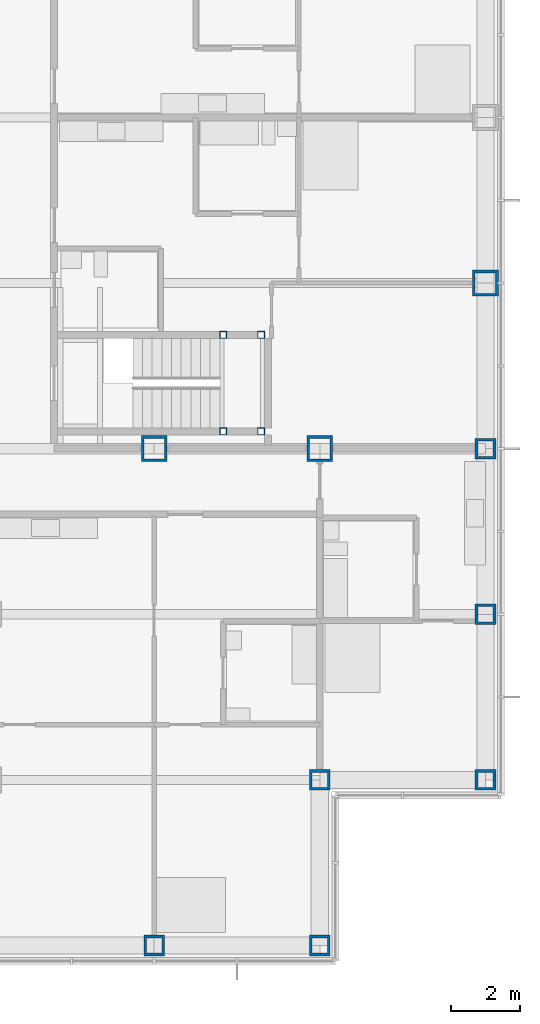
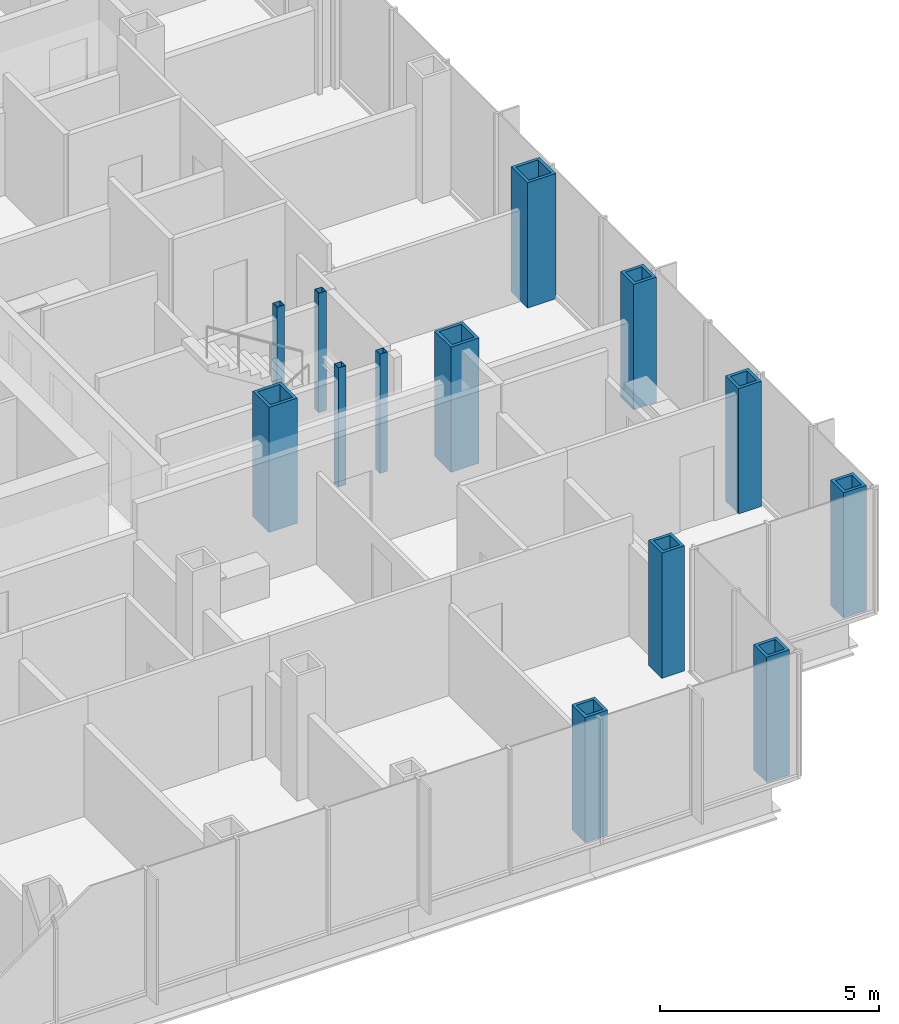
# One storey, part 4 of 21: 13 columns.
"""IFC4 building model written with IfcOpenShell, lengths in metres."""

import ifcopenshell
import ifcopenshell.guid

model = None  # the IFC model being written
_history = None  # IfcOwnerHistory: only IFC2X3 demands one
_inside = {}  # id of a spatial element -> (the spatial element, [elements in it])
_under = {}  # id of a project, library or spatial element -> (it, [spatial elements below it])
_declared = {}  # id of a project -> (the project, [libraries it declares])
_typed = {}  # id of a type object -> (the type object, [elements of that type])
_made_of = {}  # id of a material, layer set ... -> (it, [elements and type objects made of it])


def new_model(schema):
    """Start an empty IFC model of exactly this schema.

    Asked for "IFC4X3", IfcOpenShell would pick the latest addendum, in which some entities
    have other attributes; the version numbers below select the first issue.
    IFC2X3 requires an IfcOwnerHistory on every rooted entity: one is made here for all.
    """
    global model, _history
    if schema == "IFC4X3":
        model = ifcopenshell.file(schema_version=(4, 3, 0, 0))
    else:
        model = ifcopenshell.file(schema=schema)
    _inside.clear()
    _under.clear()
    _declared.clear()
    _typed.clear()
    _made_of.clear()
    _history = None
    if model.schema == "IFC2X3":
        org = make("IfcOrganization", Name="unknown")
        user = make(
            "IfcPersonAndOrganization",
            ThePerson=make("IfcPerson", FamilyName="unknown"),
            TheOrganization=org,
        )
        app = make(
            "IfcApplication",
            ApplicationDeveloper=org,
            Version="unknown",
            ApplicationFullName="unknown",
            ApplicationIdentifier="unknown",
        )
        _history = make(
            "IfcOwnerHistory",
            OwningUser=user,
            OwningApplication=app,
            ChangeAction="ADDED",
            CreationDate=0,
        )
    return model


def make(cls, **values):
    """One entity of the class cls with the attributes given. An attribute that is None is left unset."""
    return model.create_entity(
        cls, **{name: value for name, value in values.items() if value is not None}
    )


def rooted(cls, **values):
    """An entity with a GlobalId (a new one), such as an element, a storey or a relation."""
    return make(cls, GlobalId=ifcopenshell.guid.new(), OwnerHistory=_history, **values)


def si_unit(unit_type, name, prefix=None):
    """IfcSIUnit, for example si_unit("LENGTHUNIT", "METRE", prefix="MILLI")."""
    return make("IfcSIUnit", UnitType=unit_type, Prefix=prefix, Name=name)


def assignment(units):
    """IfcUnitAssignment: the units of a project."""
    return None if units is None else make("IfcUnitAssignment", Units=units)


def point(xyz):
    """IfcCartesianPoint."""
    return None if xyz is None else make("IfcCartesianPoint", Coordinates=xyz)


def direction(xyz):
    """IfcDirection."""
    return None if xyz is None else make("IfcDirection", DirectionRatios=xyz)


def frame(location, z_axis=None, x_axis=None):
    """IfcAxis2Placement3D, a coordinate frame: its origin and axes. An axis left out is left unset."""
    return make(
        "IfcAxis2Placement3D",
        Location=point(location),
        Axis=direction(z_axis),
        RefDirection=direction(x_axis),
    )


def frame_2d(location, x_axis=None):
    """IfcAxis2Placement2D, a coordinate frame in the plane: its origin and x axis."""
    return make(
        "IfcAxis2Placement2D", Location=point(location), RefDirection=direction(x_axis)
    )


def origin():
    """The frame at (0, 0, 0) with its axes left unset."""
    return frame((0.0, 0.0, 0.0))


def origin_2d():
    """The frame at (0, 0) in the plane with its x axis left unset."""
    return frame_2d((0.0, 0.0))


def place(relative_to, where):
    """IfcLocalPlacement: puts the frame where relative to a parent placement (None: the world)."""
    return make(
        "IfcLocalPlacement", PlacementRelTo=relative_to, RelativePlacement=where
    )


def context(
    kind, dimensions, precision=None, world=None, true_north=None, identifier=None
):
    """IfcGeometricRepresentationContext, for example the 3D "Model" context."""
    return make(
        "IfcGeometricRepresentationContext",
        ContextIdentifier=identifier,
        ContextType=kind,
        CoordinateSpaceDimension=dimensions,
        Precision=precision,
        WorldCoordinateSystem=world,
        TrueNorth=true_north,
    )


def subcontext(parent, identifier, kind, view, scale=None):
    """IfcGeometricRepresentationSubContext, for example "Body" below "Model"."""
    return make(
        "IfcGeometricRepresentationSubContext",
        ContextIdentifier=identifier,
        ContextType=kind,
        ParentContext=parent,
        TargetScale=scale,
        TargetView=view,
    )


def project(units=None, contexts=None):
    """IfcProject with its units and contexts."""
    return rooted(
        "IfcProject",
        Name="project",
        RepresentationContexts=contexts,
        UnitsInContext=assignment(units),
    )


def spatial(cls, under=None, at=None, **own):
    """A site, building, storey or space (cls), placed at a placement, below another one or the project."""
    s = rooted(cls, ObjectPlacement=at, **own)
    if under is not None:
        _under.setdefault(under.id(), (under, []))[1].append(s)
    return s


def profile(cls, at=None, kind="AREA", **sizes):
    """A parametric profile (cls). Its sizes go by their IFC names, for example OverallWidth=200.0."""
    return make(cls, ProfileType=kind, Position=at, **sizes)


def hollow_rectangle(**sizes):
    """IfcRectangleHollowProfileDef."""
    return profile("IfcRectangleHollowProfileDef", **sizes)


def extrude(swept, where, along, depth):
    """IfcExtrudedAreaSolid: the profile swept, set in the frame where, extruded along a direction by depth."""
    return make(
        "IfcExtrudedAreaSolid",
        SweptArea=swept,
        Position=where,
        ExtrudedDirection=direction(along),
        Depth=depth,
    )


def shape(context_of_items, identifier, shape_type, items):
    """IfcShapeRepresentation: the items that make up one representation, for example the "Body"."""
    return make(
        "IfcShapeRepresentation",
        ContextOfItems=context_of_items,
        RepresentationIdentifier=identifier,
        RepresentationType=shape_type,
        Items=items,
    )


def material(Name=None, Category=None):
    """IfcMaterial."""
    return make("IfcMaterial", Name=Name, Category=Category)


def material_profile(
    of_material, cross_section, Name=None, Category=None, Priority=None
):
    """IfcMaterialProfile: a cross section and its material."""
    return make(
        "IfcMaterialProfile",
        Name=Name,
        Material=of_material,
        Profile=cross_section,
        Priority=Priority,
        Category=Category,
    )


def profile_set(profiles, Name=None, composite=None):
    """IfcMaterialProfileSet."""
    return make(
        "IfcMaterialProfileSet",
        Name=Name,
        MaterialProfiles=profiles,
        CompositeProfile=composite,
    )


def made_of(thing, what):
    """Note that an element or type object is made of a material, layer set ...; save() writes the relation."""
    if what is not None:
        _made_of.setdefault(what.id(), (what, []))[1].append(thing)
    return thing


def type_object(cls, material=None, **own):
    """A type object (cls), such as IfcWallType, which elements share."""
    return made_of(rooted(cls, **own), material)


def element(
    cls,
    number,
    at=None,
    inside=None,
    cuts=None,
    type_object=None,
    material=None,
    context=None,
    identifier="Body",
    shape_type=None,
    held_by="IfcProductDefinitionShape",
    body=None,
    shapes=None,
    **own,
):
    """One element of the class cls, such as IfcWall. Its Tag is "e" and its number.

    at: its placement. inside: the storey or other place that contains it. cuts: it is an
    opening in that element (IfcRelVoidsElement). A single representation is given by context,
    identifier, shape_type and body (its items); several are given by shapes. held_by: the class
    of the entity that holds the representations. save() writes the other relations.
    """
    e = rooted(cls, Tag="e%d" % number, ObjectPlacement=at, **own)
    if body is not None:
        shapes = [shape(context, identifier, shape_type, body)]
    if shapes is not None:
        e.Representation = make(held_by, Representations=shapes)
    if inside is not None:
        _inside.setdefault(inside.id(), (inside, []))[1].append(e)
    if cuts is not None:
        rooted(
            "IfcRelVoidsElement", RelatingBuildingElement=cuts, RelatedOpeningElement=e
        )
    if type_object is not None:
        _typed.setdefault(type_object.id(), (type_object, []))[1].append(e)
    return made_of(e, material)


def aggregate(whole, parts):
    """IfcRelAggregates: a whole, such as a stair, and the parts it consists of."""
    return rooted("IfcRelAggregates", RelatingObject=whole, RelatedObjects=parts)


def save(model, path):
    """Write the relations noted so far, then the file.

    IfcRelAggregates (storeys below a building ...), IfcRelContainedInSpatialStructure (elements
    in a storey), IfcRelDefinesByType, IfcRelAssociatesMaterial and IfcRelDeclares: one each for
    every whole, place, type object, material and project.
    """
    for whole, parts in _under.values():
        aggregate(whole, parts)
    for where, things in _inside.values():
        rooted(
            "IfcRelContainedInSpatialStructure",
            RelatedElements=things,
            RelatingStructure=where,
        )
    for kind, things in _typed.values():
        rooted("IfcRelDefinesByType", RelatedObjects=things, RelatingType=kind)
    for what, things in _made_of.values():
        rooted("IfcRelAssociatesMaterial", RelatedObjects=things, RelatingMaterial=what)
    for by, libraries in _declared.values():
        rooted("IfcRelDeclares", RelatingContext=by, RelatedDefinitions=libraries)
    model.write(path)


model = new_model("IFC4")

# Units and contexts
model_context = context("Model", 3, precision=1e-05, world=origin(), true_north=direction((0.0, 1.0)))
body_context = subcontext(model_context, "Body", "Model", "MODEL_VIEW")
ifc_project = project(units=[si_unit("LENGTHUNIT", "METRE"), si_unit("AREAUNIT", "SQUARE_METRE"), si_unit("VOLUMEUNIT", "CUBIC_METRE"), si_unit("PLANEANGLEUNIT", "RADIAN"), si_unit("MASSUNIT", "GRAM", prefix="KILO")], contexts=[model_context])

# Site, building, storey
site_placement = place(None, origin())
site = spatial("IfcSite", under=ifc_project, at=site_placement, CompositionType="ELEMENT")
building_placement = place(site_placement, origin())
building = spatial("IfcBuilding", under=site, at=building_placement, Name="Kvirike Care Tower", CompositionType="ELEMENT")
storey_placement = place(building_placement, frame((0.0, 0.0, 27.0)))
storey = spatial("IfcBuildingStorey", under=building, at=storey_placement, Name="L06", CompositionType="ELEMENT", Elevation=27.0)

# Columns
ifc_material_1 = material(Name="Steel S460", Category="steel")
ifc_material_profile_1 = material_profile(ifc_material_1, hollow_rectangle(XDim=0.60009765625, YDim=0.60009765625, WallThickness=0.080078125, at=origin_2d()), Name="BX 600x600x80")
ifc_profile_set_1 = profile_set([ifc_material_profile_1], Name="Steel S460")
column_type_1 = type_object("IfcColumnType", Name="COLUMN BX 600x600x80", PredefinedType="COLUMN", material=ifc_profile_set_1)
for number, where, z_axis, x_axis, name in (
    (1, (33.60009765625, 14.39990234375, 0.0), (0.0, 0.0, 1.0), (0.0, 1.0, 0.0), "Column D10 L06"),
    (2, (38.39990234375, 14.39990234375, 0.0), (0.0, 0.0, 1.0), (0.0, 1.0, 0.0), "Column D11 L06"),
    (3, (38.39990234375, 19.199951171875, 0.0), (0.0, 0.0, 1.0), (0.0, 1.0, 0.0), "Column E11 L06"),
    (4, (43.199951171875, 19.199951171875, 0.0), (0.0, 0.0, 1.0), (0.0, 1.0, 0.0), "Column E12 L06"),
    (5, (43.199951171875, 24.0, 0.0), (0.0, 0.0, 1.0), (1.0, 0.0, 0.0), "Column F12 L06"),
    (6, (43.199951171875, 28.800048828125, 0.0), (0.0, 0.0, 1.0), (0.0, 1.0, 0.0), "Column G12 L06"),
):
    element("IfcColumn", number, at=place(storey_placement, frame(where, z_axis=z_axis, x_axis=x_axis)), inside=storey, type_object=column_type_1, Name=name, PredefinedType="COLUMN", context=body_context, shape_type="SweptSolid", body=[
        extrude(hollow_rectangle(XDim=0.60009765625, YDim=0.60009765625, WallThickness=0.080078125, at=origin_2d()), origin(), (0.0, 0.0, 1.0), 3.5),
    ])
ifc_material_2 = material(Name="Steel S460", Category="steel")
ifc_material_profile_2 = material_profile(ifc_material_2, hollow_rectangle(XDim=0.75, YDim=0.75, WallThickness=0.080078125, at=origin_2d()), Name="BX 750x750x80")
ifc_profile_set_2 = profile_set([ifc_material_profile_2], Name="Steel S460")
column_type_2 = type_object("IfcColumnType", Name="COLUMN BX 750x750x80", PredefinedType="COLUMN", material=ifc_profile_set_2)
for number, where, z_axis, x_axis, name in (
    (7, (33.60009765625, 28.800048828125, 0.0), (0.0, 0.0, 1.0), (0.0, 1.0, 0.0), "Column G10 L06"),
    (8, (38.39990234375, 28.800048828125, 0.0), (0.0, 0.0, 1.0), (0.0, 1.0, 0.0), "Column G11 L06"),
    (9, (43.199951171875, 33.60009765625, 0.0), (0.0, 0.0, 1.0), (1.0, 0.0, 0.0), "Column H12 L06"),
):
    element("IfcColumn", number, at=place(storey_placement, frame(where, z_axis=z_axis, x_axis=x_axis)), inside=storey, type_object=column_type_2, Name=name, PredefinedType="COLUMN", context=body_context, shape_type="SweptSolid", body=[
        extrude(hollow_rectangle(XDim=0.75, YDim=0.75, WallThickness=0.080078125, at=origin_2d()), origin(), (0.0, 0.0, 1.0), 3.5),
    ])
ifc_material_3 = material(Name="Steel S460", Category="steel")
ifc_material_profile_3 = material_profile(ifc_material_3, hollow_rectangle(XDim=0.199951171875, YDim=0.199951171875, WallThickness=0.008056640625, at=origin_2d()), Name="SHS 200x200x8")
ifc_profile_set_3 = profile_set([ifc_material_profile_3], Name="Steel S460")
column_type_3 = type_object("IfcColumnType", Name="STAIR POST SHS 200x200x8", PredefinedType="COLUMN", material=ifc_profile_set_3)
for number, where, z_axis, x_axis, name in (
    (10, (36.699951171875, 29.300048828125, 0.0), (0.0, 0.0, 1.0), (1.0, 0.0, 0.0), "Stair 2 post 1 L06"),
    (11, (36.699951171875, 32.10009765625, 0.0), (0.0, 0.0, 1.0), (1.0, 0.0, 0.0), "Stair 2 post 2 L06"),
    (12, (35.60009765625, 29.300048828125, 0.0), (0.0, 0.0, 1.0), (1.0, 0.0, 0.0), "Stair 2 post 3 L06"),
    (13, (35.60009765625, 32.10009765625, 0.0), (0.0, 0.0, 1.0), (1.0, 0.0, 0.0), "Stair 2 post 4 L06"),
):
    element("IfcColumn", number, at=place(storey_placement, frame(where, z_axis=z_axis, x_axis=x_axis)), inside=storey, type_object=column_type_3, Name=name, PredefinedType="COLUMN", context=body_context, shape_type="SweptSolid", body=[
        extrude(hollow_rectangle(XDim=0.199951171875, YDim=0.199951171875, WallThickness=0.008056640625, at=origin_2d()), origin(), (0.0, 0.0, 1.0), 3.330078125),
    ])

save(model, "model.ifc")
